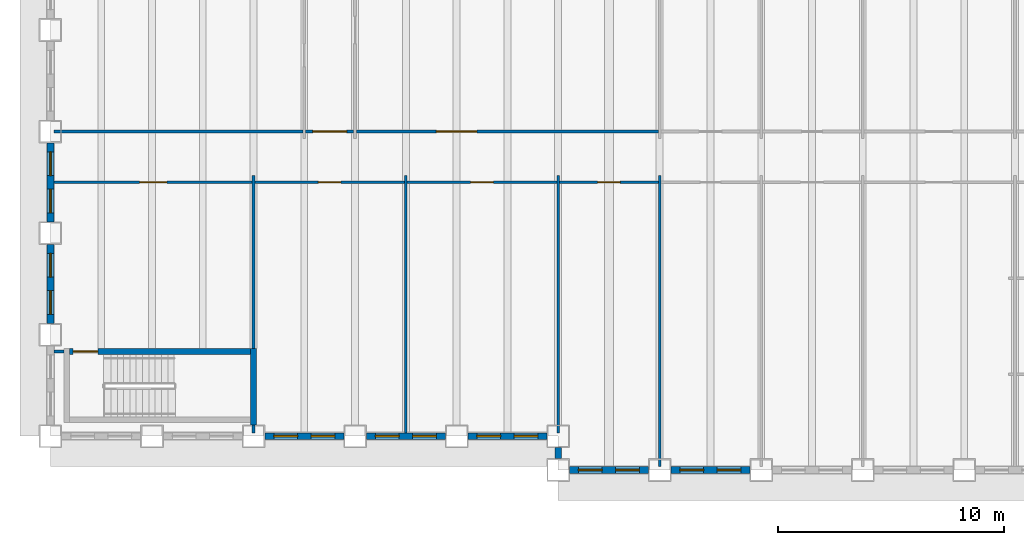
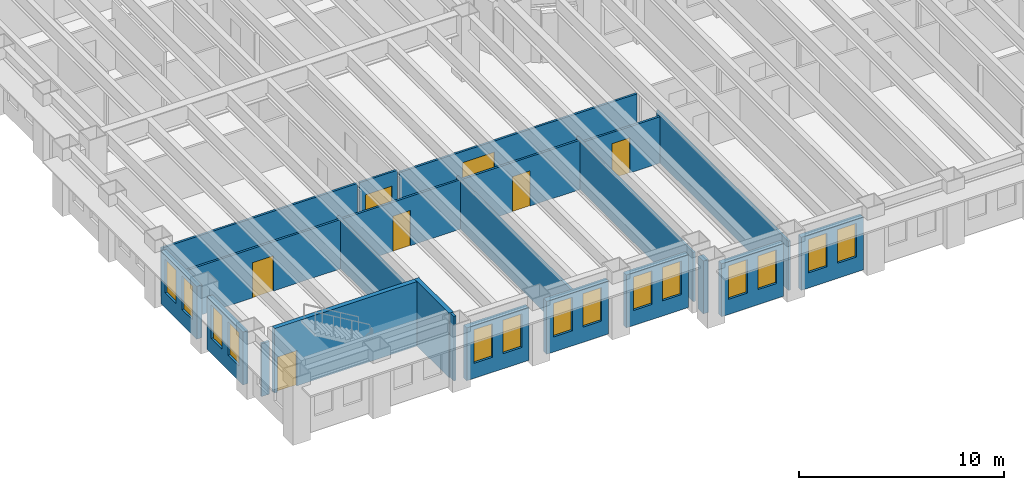
# One storey, part 3 of 16: 23 walls, 14 windows, 7 doors, 21 openings.
"""IFC4 building model written with IfcOpenShell, lengths in metres."""

from ifc_helpers import new_model, si_unit, direction, frame, frame_2d, origin, place, context, subcontext, project, spatial, rectangle, extrude, material, layer, layer_set, type_object, element, fill, save


model = new_model("IFC4")

# Units and contexts
model_context = context("Model", 3, precision=1e-05, world=origin(), true_north=direction((0.0, 1.0)))
body_context = subcontext(model_context, "Body", "Model", "MODEL_VIEW")
ifc_project = project(units=[si_unit("LENGTHUNIT", "METRE"), si_unit("AREAUNIT", "SQUARE_METRE"), si_unit("VOLUMEUNIT", "CUBIC_METRE"), si_unit("PLANEANGLEUNIT", "RADIAN"), si_unit("MASSUNIT", "GRAM", prefix="KILO")], contexts=[model_context])

# Site, building, storey
site_placement = place(None, origin())
site = spatial("IfcSite", under=ifc_project, at=site_placement, CompositionType="ELEMENT")
building_placement = place(site_placement, origin())
building = spatial("IfcBuilding", under=site, at=building_placement, Name="Sennacour Bend Tower", CompositionType="ELEMENT")
storey_placement = place(building_placement, frame((0.0, 0.0, 87.0)))
storey = spatial("IfcBuildingStorey", under=building, at=storey_placement, Name="L19", CompositionType="ELEMENT", Elevation=87.0)

# Walls
ifc_material_1 = material(Name="Plasterboard partition on steel studs", Category="steel")
ifc_layer_1 = layer(ifc_material_1, 0.1201171875, Name="Plasterboard partition on steel studs", Category="steel")
ifc_layer_set_1 = layer_set([ifc_layer_1], Name="Plasterboard partition on steel studs")
wall_type_1 = type_object("IfcWallType", Name="Partition 120", PredefinedType="PARTITIONING", material=ifc_layer_set_1)
wall_1_placement = place(storey_placement, frame((9.0, 0.14990234375, 0.0), z_axis=(0.0, 0.0, 1.0), x_axis=(0.0, 1.0, 0.0)))
element("IfcWall", 1, at=wall_1_placement, inside=storey, type_object=wall_type_1, Name="P-L19-W010a", PredefinedType="PARTITIONING", context=body_context, shape_type="SweptSolid", body=[
    extrude(rectangle(XDim=0.35009765625, YDim=0.1201171875, at=frame_2d((0.175048828125, 0.0))), origin(), (0.0, 0.0, 1.0), 3.85009765625),
])
wall_2_placement = place(storey_placement, frame((9.0, 3.875, 0.0), z_axis=(0.0, 0.0, 1.0), x_axis=(0.0, 1.0, 0.0)))
element("IfcWall", 2, at=wall_2_placement, inside=storey, type_object=wall_type_1, Name="P-L19-W012a", PredefinedType="PARTITIONING", context=body_context, shape_type="SweptSolid", body=[
    extrude(rectangle(XDim=7.675048828125, YDim=0.1201171875, at=frame_2d((3.83740234375, 0.0))), origin(), (0.0, 0.0, 1.0), 2.93798828125),
])
for number, where, z_axis, x_axis, name in (
    (3, (15.75, 0.14990234375, 0.0), (0.0, 0.0, 1.0), (0.0, 1.0, 0.0), "P-L19-W020a"),
    (4, (22.5, 0.14990234375, 0.0), (0.0, 0.0, 1.0), (0.0, 1.0, 0.0), "P-L19-W024a"),
):
    element("IfcWall", number, at=place(storey_placement, frame(where, z_axis=z_axis, x_axis=x_axis)), inside=storey, type_object=wall_type_1, Name=name, PredefinedType="PARTITIONING", context=body_context, shape_type="SweptSolid", body=[
        extrude(rectangle(XDim=11.400146484375, YDim=0.1201171875, at=frame_2d((5.7001953125, 0.0))), origin(), (0.0, 0.0, 1.0), 2.93798828125),
    ])
wall_3_placement = place(storey_placement, frame((27.0, -1.35009765625, 0.0), z_axis=(0.0, 0.0, 1.0), x_axis=(0.0, 1.0, 0.0)))
element("IfcWall", 5, at=wall_3_placement, inside=storey, type_object=wall_type_1, Name="P-L19-W026a", PredefinedType="PARTITIONING", context=body_context, shape_type="SweptSolid", body=[
    extrude(rectangle(XDim=12.900146484375, YDim=0.1201171875, at=frame_2d((6.4501953125, 0.0))), origin(), (0.0, 0.0, 1.0), 2.93798828125),
])
wall_4_placement = place(storey_placement, frame((0.14990234375, 3.75, 0.0), z_axis=(0.0, 0.0, 1.0), x_axis=(1.0, 0.0, 0.0)))
element("IfcWall", 6, at=wall_4_placement, inside=storey, type_object=wall_type_1, Name="P-L19-W050a", PredefinedType="PARTITIONING", context=body_context, shape_type="SweptSolid", body=[
    extrude(rectangle(XDim=0.4501953125, YDim=0.1201171875, at=frame_2d((0.22509765625, 0.0))), origin(), (0.0, 0.0, 1.0), 3.154052734375),
])

# Wall, opening, door
wall_5_placement = place(storey_placement, frame((9.06005859375, 11.25, 0.0), z_axis=(0.0, 0.0, 1.0), x_axis=(1.0, 0.0, 0.0)))
wall_5 = element("IfcWall", 7, at=wall_5_placement, inside=storey, type_object=wall_type_1, Name="P-L19-W058ab", PredefinedType="PARTITIONING", context=body_context, shape_type="SweptSolid", body=[
    extrude(rectangle(XDim=6.6298828125, YDim=0.1201171875, at=frame_2d((3.31494140625, 0.0))), origin(), (0.0, 0.0, 1.0), 2.93798828125),
])
opening_1_placement = place(wall_5_placement, frame((2.81494140625, 0.0, 0.0)))
opening_1 = element("IfcOpeningElement", 8, at=opening_1_placement, cuts=wall_5, Name="Opening OD2", PredefinedType="OPENING", context=body_context, shape_type="SweptSolid", body=[
    extrude(rectangle(XDim=1.0, YDim=2.10009765625, at=frame_2d((0.5, 1.050048828125))), frame((0.0, 0.070068359375, 0.0), z_axis=(0.0, -1.0, 0.0), x_axis=(1.0, 0.0, 0.0)), (0.0, 0.0, 1.0), 0.14013671875),
])
ifc_material_2 = material(Name="Timber", Category="wood")
door_type_1 = type_object("IfcDoorType", Name="DR-OFFICE-1000", OperationType="NOTDEFINED", PredefinedType="DOOR", material=ifc_material_2)
door_1_placement = place(opening_1_placement, origin())
door_1 = element("IfcDoor", 9, at=door_1_placement, inside=storey, type_object=door_type_1, Name="Door", OperationType="SINGLE_SWING_LEFT", OverallHeight=2.10009765625, OverallWidth=1.0, PredefinedType="DOOR", context=body_context, shape_type="SweptSolid", body=[
    extrude(rectangle(XDim=1.0, YDim=2.10009765625, at=frame_2d((0.5, 1.050048828125))), frame((0.0, 0.02490234375, 0.0), z_axis=(0.0, -1.0, 0.0), x_axis=(1.0, 0.0, 0.0)), (0.0, 0.0, 1.0), 0.050048828125),
])
fill(opening_1, door_1)

wall_6_placement = place(storey_placement, frame((15.81005859375, 11.25, 0.0), z_axis=(0.0, 0.0, 1.0), x_axis=(1.0, 0.0, 0.0)))
wall_6 = element("IfcWall", 10, at=wall_6_placement, inside=storey, type_object=wall_type_1, Name="P-L19-W058ac", PredefinedType="PARTITIONING", context=body_context, shape_type="SweptSolid", body=[
    extrude(rectangle(XDim=6.6298828125, YDim=0.1201171875, at=frame_2d((3.31494140625, 0.0))), origin(), (0.0, 0.0, 1.0), 2.93798828125),
])
opening_2_placement = place(wall_6_placement, frame((2.81494140625, 0.0, 0.0)))
opening_2 = element("IfcOpeningElement", 11, at=opening_2_placement, cuts=wall_6, Name="Opening OD2", PredefinedType="OPENING", context=body_context, shape_type="SweptSolid", body=[
    extrude(rectangle(XDim=1.0, YDim=2.10009765625, at=frame_2d((0.5, 1.050048828125))), frame((0.0, 0.070068359375, 0.0), z_axis=(0.0, -1.0, 0.0), x_axis=(1.0, 0.0, 0.0)), (0.0, 0.0, 1.0), 0.14013671875),
])
door_2_placement = place(opening_2_placement, origin())
door_2 = element("IfcDoor", 12, at=door_2_placement, inside=storey, type_object=door_type_1, Name="Door", OperationType="SINGLE_SWING_LEFT", OverallHeight=2.10009765625, OverallWidth=1.0, PredefinedType="DOOR", context=body_context, shape_type="SweptSolid", body=[
    extrude(rectangle(XDim=1.0, YDim=2.10009765625, at=frame_2d((0.5, 1.050048828125))), frame((0.0, 0.02490234375, 0.0), z_axis=(0.0, -1.0, 0.0), x_axis=(1.0, 0.0, 0.0)), (0.0, 0.0, 1.0), 0.050048828125),
])
fill(opening_2, door_2)

wall_7_placement = place(storey_placement, frame((22.56005859375, 11.25, 0.0), z_axis=(0.0, 0.0, 1.0), x_axis=(1.0, 0.0, 0.0)))
wall_7 = element("IfcWall", 13, at=wall_7_placement, inside=storey, type_object=wall_type_1, Name="P-L19-W058ad", PredefinedType="PARTITIONING", context=body_context, shape_type="SweptSolid", body=[
    extrude(rectangle(XDim=4.3798828125, YDim=0.1201171875, at=frame_2d((2.18994140625, 0.0))), origin(), (0.0, 0.0, 1.0), 2.760009765625),
])
opening_3_placement = place(wall_7_placement, frame((1.68994140625, 0.0, 0.0)))
opening_3 = element("IfcOpeningElement", 14, at=opening_3_placement, cuts=wall_7, Name="Opening OD2", PredefinedType="OPENING", context=body_context, shape_type="SweptSolid", body=[
    extrude(rectangle(XDim=1.0, YDim=2.10009765625, at=frame_2d((0.5, 1.050048828125))), frame((0.0, 0.070068359375, 0.0), z_axis=(0.0, -1.0, 0.0), x_axis=(1.0, 0.0, 0.0)), (0.0, 0.0, 1.0), 0.14013671875),
])
door_3_placement = place(opening_3_placement, origin())
door_3 = element("IfcDoor", 15, at=door_3_placement, inside=storey, type_object=door_type_1, Name="Door", OperationType="SINGLE_SWING_LEFT", OverallHeight=2.10009765625, OverallWidth=1.0, PredefinedType="DOOR", context=body_context, shape_type="SweptSolid", body=[
    extrude(rectangle(XDim=1.0, YDim=2.10009765625, at=frame_2d((0.5, 1.050048828125))), frame((0.0, 0.02490234375, 0.0), z_axis=(0.0, -1.0, 0.0), x_axis=(1.0, 0.0, 0.0)), (0.0, 0.0, 1.0), 0.050048828125),
])
fill(opening_3, door_3)

# Wall
wall_8_placement = place(storey_placement, frame((0.14990234375, 13.5, 0.0), z_axis=(0.0, 0.0, 1.0), x_axis=(1.0, 0.0, 0.0)))
element("IfcWall", 16, at=wall_8_placement, inside=storey, type_object=wall_type_1, Name="P-L19-W060aa", PredefinedType="PARTITIONING", context=body_context, shape_type="SweptSolid", body=[
    extrude(rectangle(XDim=11.0400390625, YDim=0.1201171875, at=frame_2d((5.52001953125, 0.0))), origin(), (0.0, 0.0, 1.0), 2.93798828125),
])

# Wall, opening, door
wall_9_placement = place(storey_placement, frame((13.56005859375, 13.5, 0.0), z_axis=(0.0, 0.0, 1.0), x_axis=(1.0, 0.0, 0.0)))
wall_9 = element("IfcWall", 17, at=wall_9_placement, inside=storey, type_object=wall_type_1, Name="P-L19-W060ac", PredefinedType="PARTITIONING", context=body_context, shape_type="SweptSolid", body=[
    extrude(rectangle(XDim=13.3798828125, YDim=0.1201171875, at=frame_2d((6.68994140625, 0.0))), origin(), (0.0, 0.0, 1.0), 2.760009765625),
])
opening_4_placement = place(wall_9_placement, frame((3.539794921875, 0.0, 0.0)))
opening_4 = element("IfcOpeningElement", 18, at=opening_4_placement, cuts=wall_9, Name="Opening OD3", PredefinedType="OPENING", context=body_context, shape_type="SweptSolid", body=[
    extrude(rectangle(XDim=1.800048828125, YDim=2.10009765625, at=frame_2d((0.89990234375, 1.050048828125))), frame((0.0, 0.070068359375, 0.0), z_axis=(0.0, -1.0, 0.0), x_axis=(1.0, 0.0, 0.0)), (0.0, 0.0, 1.0), 0.14013671875),
])
door_type_2 = type_object("IfcDoorType", Name="DR-OFFICE-1800", OperationType="NOTDEFINED", PredefinedType="DOOR", material=ifc_material_2)
door_4_placement = place(opening_4_placement, origin())
door_4 = element("IfcDoor", 19, at=door_4_placement, inside=storey, type_object=door_type_2, Name="Door", OperationType="DOUBLE_DOOR_SINGLE_SWING", OverallHeight=2.10009765625, OverallWidth=1.800048828125, PredefinedType="DOOR", context=body_context, shape_type="SweptSolid", body=[
    extrude(rectangle(XDim=1.800048828125, YDim=2.10009765625, at=frame_2d((0.89990234375, 1.050048828125))), frame((0.0, 0.02490234375, 0.0), z_axis=(0.0, -1.0, 0.0), x_axis=(1.0, 0.0, 0.0)), (0.0, 0.0, 1.0), 0.050048828125),
])
fill(opening_4, door_4)

ifc_layer_2 = layer(ifc_material_1, 0.1201171875, Name="Plasterboard partition on steel studs", Category="steel")
ifc_layer_set_2 = layer_set([ifc_layer_2], Name="Plasterboard partition on steel studs")
wall_type_2 = type_object("IfcWallType", Name="Partition 120 EI 30", PredefinedType="PARTITIONING", material=ifc_layer_set_2)
wall_10_placement = place(storey_placement, frame((0.14990234375, 11.25, 0.0), z_axis=(0.0, 0.0, 1.0), x_axis=(1.0, 0.0, 0.0)))
wall_10 = element("IfcWall", 20, at=wall_10_placement, inside=storey, type_object=wall_type_2, Name="P-L19-W058aa", PredefinedType="PARTITIONING", context=body_context, shape_type="SweptSolid", body=[
    extrude(rectangle(XDim=8.7900390625, YDim=0.1201171875, at=frame_2d((4.39501953125, 0.0))), origin(), (0.0, 0.0, 1.0), 2.93798828125),
])
opening_5_placement = place(wall_10_placement, frame((3.80517578125, 0.0, 0.0)))
opening_5 = element("IfcOpeningElement", 21, at=opening_5_placement, cuts=wall_10, Name="Opening KD2", PredefinedType="OPENING", context=body_context, shape_type="SweptSolid", body=[
    extrude(rectangle(XDim=1.199951171875, YDim=2.10009765625, at=frame_2d((0.60009765625, 1.050048828125))), frame((0.0, 0.070068359375, 0.0), z_axis=(0.0, -1.0, 0.0), x_axis=(1.0, 0.0, 0.0)), (0.0, 0.0, 1.0), 0.14013671875),
])
ifc_material_3 = material(Name="Painted steel", Category="steel")
door_type_3 = type_object("IfcDoorType", Name="DR-CORRIDOR-1200", OperationType="NOTDEFINED", PredefinedType="DOOR", material=ifc_material_3)
door_5_placement = place(opening_5_placement, origin())
door_5 = element("IfcDoor", 22, at=door_5_placement, inside=storey, type_object=door_type_3, Name="Door", OperationType="SINGLE_SWING_LEFT", OverallHeight=2.10009765625, OverallWidth=1.199951171875, PredefinedType="DOOR", context=body_context, shape_type="SweptSolid", body=[
    extrude(rectangle(XDim=1.199951171875, YDim=2.10009765625, at=frame_2d((0.60009765625, 1.050048828125))), frame((0.0, 0.02490234375, 0.0), z_axis=(0.0, -1.0, 0.0), x_axis=(1.0, 0.0, 0.0)), (0.0, 0.0, 1.0), 0.050048828125),
])
fill(opening_5, door_5)

wall_11_placement = place(storey_placement, frame((11.31005859375, 13.5, 0.0), z_axis=(0.0, 0.0, 1.0), x_axis=(1.0, 0.0, 0.0)))
wall_11 = element("IfcWall", 23, at=wall_11_placement, inside=storey, type_object=wall_type_2, Name="P-L19-W060ab", PredefinedType="PARTITIONING", context=body_context, shape_type="SweptSolid", body=[
    extrude(rectangle(XDim=2.1298828125, YDim=0.1201171875, at=frame_2d((1.06494140625, 0.0))), origin(), (0.0, 0.0, 1.0), 2.93798828125),
])
opening_6_placement = place(wall_11_placement, frame((0.31494140625, 0.0, 0.0)))
opening_6 = element("IfcOpeningElement", 24, at=opening_6_placement, cuts=wall_11, Name="Opening KD", PredefinedType="OPENING", context=body_context, shape_type="SweptSolid", body=[
    extrude(rectangle(XDim=1.5, YDim=2.10009765625, at=frame_2d((0.75, 1.050048828125))), frame((0.0, 0.070068359375, 0.0), z_axis=(0.0, -1.0, 0.0), x_axis=(1.0, 0.0, 0.0)), (0.0, 0.0, 1.0), 0.14013671875),
])
door_type_4 = type_object("IfcDoorType", Name="DR-CORRIDOR-1500", OperationType="NOTDEFINED", PredefinedType="DOOR", material=ifc_material_3)
door_6_placement = place(opening_6_placement, origin())
door_6 = element("IfcDoor", 25, at=door_6_placement, inside=storey, type_object=door_type_4, Name="Door", OperationType="SINGLE_SWING_LEFT", OverallHeight=2.10009765625, OverallWidth=1.5, PredefinedType="DOOR", context=body_context, shape_type="SweptSolid", body=[
    extrude(rectangle(XDim=1.5, YDim=2.10009765625, at=frame_2d((0.75, 1.050048828125))), frame((0.0, 0.02490234375, 0.0), z_axis=(0.0, -1.0, 0.0), x_axis=(1.0, 0.0, 0.0)), (0.0, 0.0, 1.0), 0.050048828125),
])
fill(opening_6, door_6)

# Wall, openings, windows
ifc_material_4 = material(Name="Warm limestone cladding", Category="masonry")
ifc_layer_3 = layer(ifc_material_4, 0.050048828125, Name="Warm limestone cladding", Category="masonry")
ifc_material_5 = material(Name="Precast concrete C40/50", Category="concrete")
ifc_layer_4 = layer(ifc_material_5, 0.25, Name="Precast concrete C40/50", Category="concrete")
ifc_layer_set_3 = layer_set([ifc_layer_3, ifc_layer_4], Name="Precast concrete C40/50 with limestone cladding")
wall_type_3 = type_object("IfcWallType", Name="STONE-CLAD PRECAST SPANDREL 300", PredefinedType="STANDARD", material=ifc_layer_set_3)
wall_12_placement = place(storey_placement, frame((23.0, -1.5, 0.0), z_axis=(0.0, 0.0, 1.0), x_axis=(1.0, 0.0, 0.0)))
wall_12 = element("IfcWall", 26, at=wall_12_placement, inside=storey, type_object=wall_type_3, Name="Stone spandrel and pier wall L19 00.00", PredefinedType="STANDARD", context=body_context, shape_type="SweptSolid", body=[
    extrude(rectangle(XDim=3.5, YDim=0.300048828125, at=frame_2d((1.75, 0.0))), origin(), (0.0, 0.0, 1.0), 3.154052734375),
])
opening_7_placement = place(wall_12_placement, frame((0.39990234375, 0.0, 0.89990234375)))
opening_7 = element("IfcOpeningElement", 27, at=opening_7_placement, cuts=wall_12, Name="Opening W13", PredefinedType="OPENING", context=body_context, shape_type="SweptSolid", body=[
    extrude(rectangle(XDim=1.050048828125, YDim=2.0, at=frame_2d((0.52490234375, 1.0))), frame((0.0, 0.16015625, 0.0), z_axis=(0.0, -1.0, 0.0), x_axis=(1.0, 0.0, 0.0)), (0.0, 0.0, 1.0), 0.320068359375),
])
opening_8_placement = place(wall_12_placement, frame((2.050048828125, 0.0, 0.89990234375)))
opening_8 = element("IfcOpeningElement", 28, at=opening_8_placement, cuts=wall_12, Name="Opening W13", PredefinedType="OPENING", context=body_context, shape_type="SweptSolid", body=[
    extrude(rectangle(XDim=1.050048828125, YDim=2.0, at=frame_2d((0.52490234375, 1.0))), frame((0.0, 0.16015625, 0.0), z_axis=(0.0, -1.0, 0.0), x_axis=(1.0, 0.0, 0.0)), (0.0, 0.0, 1.0), 0.320068359375),
])
ifc_material_6 = material(Name="Clear low-emissivity glass", Category="glass")
window_type = type_object("IfcWindowType", Name="WIN-RIBBON-1050x2000", PartitioningType="SINGLE_PANEL", PredefinedType="WINDOW", material=ifc_material_6)
window_1_placement = place(opening_7_placement, origin())
window_1 = element("IfcWindow", 29, at=window_1_placement, inside=storey, type_object=window_type, Name="Ribbon window L19 00.00.0", OverallHeight=2.0, OverallWidth=1.050048828125, PartitioningType="SINGLE_PANEL", PredefinedType="WINDOW", context=body_context, shape_type="SweptSolid", body=[
    extrude(rectangle(XDim=1.050048828125, YDim=2.0, at=frame_2d((0.52490234375, 1.0))), frame((0.0, 0.030029296875, 0.0), z_axis=(0.0, -1.0, 0.0), x_axis=(1.0, 0.0, 0.0)), (0.0, 0.0, 1.0), 0.06005859375),
])
fill(opening_7, window_1)
window_2_placement = place(opening_8_placement, origin())
window_2 = element("IfcWindow", 30, at=window_2_placement, inside=storey, type_object=window_type, Name="Ribbon window L19 00.00.1", OverallHeight=2.0, OverallWidth=1.050048828125, PartitioningType="SINGLE_PANEL", PredefinedType="WINDOW", context=body_context, shape_type="SweptSolid", body=[
    extrude(rectangle(XDim=1.050048828125, YDim=2.0, at=frame_2d((0.52490234375, 1.0))), frame((0.0, 0.030029296875, 0.0), z_axis=(0.0, -1.0, 0.0), x_axis=(1.0, 0.0, 0.0)), (0.0, 0.0, 1.0), 0.06005859375),
])
fill(opening_8, window_2)

wall_13_placement = place(storey_placement, frame((27.5, -1.5, 0.0), z_axis=(0.0, 0.0, 1.0), x_axis=(1.0, 0.0, 0.0)))
wall_13 = element("IfcWall", 31, at=wall_13_placement, inside=storey, type_object=wall_type_3, Name="Stone spandrel and pier wall L19 00.01", PredefinedType="STANDARD", context=body_context, shape_type="SweptSolid", body=[
    extrude(rectangle(XDim=3.5, YDim=0.300048828125, at=frame_2d((1.75, 0.0))), origin(), (0.0, 0.0, 1.0), 3.154052734375),
])
opening_9_placement = place(wall_13_placement, frame((0.39990234375, 0.0, 0.89990234375)))
opening_9 = element("IfcOpeningElement", 32, at=opening_9_placement, cuts=wall_13, Name="Opening W13", PredefinedType="OPENING", context=body_context, shape_type="SweptSolid", body=[
    extrude(rectangle(XDim=1.050048828125, YDim=2.0, at=frame_2d((0.52490234375, 1.0))), frame((0.0, 0.16015625, 0.0), z_axis=(0.0, -1.0, 0.0), x_axis=(1.0, 0.0, 0.0)), (0.0, 0.0, 1.0), 0.320068359375),
])
opening_10_placement = place(wall_13_placement, frame((2.050048828125, 0.0, 0.89990234375)))
opening_10 = element("IfcOpeningElement", 33, at=opening_10_placement, cuts=wall_13, Name="Opening W13", PredefinedType="OPENING", context=body_context, shape_type="SweptSolid", body=[
    extrude(rectangle(XDim=1.050048828125, YDim=2.0, at=frame_2d((0.52490234375, 1.0))), frame((0.0, 0.16015625, 0.0), z_axis=(0.0, -1.0, 0.0), x_axis=(1.0, 0.0, 0.0)), (0.0, 0.0, 1.0), 0.320068359375),
])
window_3_placement = place(opening_9_placement, origin())
window_3 = element("IfcWindow", 34, at=window_3_placement, inside=storey, type_object=window_type, Name="Ribbon window L19 00.01.0", OverallHeight=2.0, OverallWidth=1.050048828125, PartitioningType="SINGLE_PANEL", PredefinedType="WINDOW", context=body_context, shape_type="SweptSolid", body=[
    extrude(rectangle(XDim=1.050048828125, YDim=2.0, at=frame_2d((0.52490234375, 1.0))), frame((0.0, 0.030029296875, 0.0), z_axis=(0.0, -1.0, 0.0), x_axis=(1.0, 0.0, 0.0)), (0.0, 0.0, 1.0), 0.06005859375),
])
fill(opening_9, window_3)
window_4_placement = place(opening_10_placement, origin())
window_4 = element("IfcWindow", 35, at=window_4_placement, inside=storey, type_object=window_type, Name="Ribbon window L19 00.01.1", OverallHeight=2.0, OverallWidth=1.050048828125, PartitioningType="SINGLE_PANEL", PredefinedType="WINDOW", context=body_context, shape_type="SweptSolid", body=[
    extrude(rectangle(XDim=1.050048828125, YDim=2.0, at=frame_2d((0.52490234375, 1.0))), frame((0.0, 0.030029296875, 0.0), z_axis=(0.0, -1.0, 0.0), x_axis=(1.0, 0.0, 0.0)), (0.0, 0.0, 1.0), 0.06005859375),
])
fill(opening_10, window_4)

wall_14_placement = place(storey_placement, frame((0.0, 13.0, 0.0), z_axis=(0.0, 0.0, 1.0), x_axis=(0.0, -1.0, 0.0)))
wall_14 = element("IfcWall", 36, at=wall_14_placement, inside=storey, type_object=wall_type_3, Name="Stone spandrel and pier wall L19 21.02", PredefinedType="STANDARD", context=body_context, shape_type="SweptSolid", body=[
    extrude(rectangle(XDim=3.5, YDim=0.300048828125, at=frame_2d((1.75, 0.0))), origin(), (0.0, 0.0, 1.0), 3.154052734375),
])
opening_11_placement = place(wall_14_placement, frame((0.39990234375, 0.0, 0.89990234375)))
opening_11 = element("IfcOpeningElement", 37, at=opening_11_placement, cuts=wall_14, Name="Opening W13", PredefinedType="OPENING", context=body_context, shape_type="SweptSolid", body=[
    extrude(rectangle(XDim=1.050048828125, YDim=2.0, at=frame_2d((0.52490234375, 1.0))), frame((0.0, 0.16015625, 0.0), z_axis=(0.0, -1.0, 0.0), x_axis=(1.0, 0.0, 0.0)), (0.0, 0.0, 1.0), 0.320068359375),
])
opening_12_placement = place(wall_14_placement, frame((2.050048828125, 0.0, 0.89990234375)))
opening_12 = element("IfcOpeningElement", 38, at=opening_12_placement, cuts=wall_14, Name="Opening W13", PredefinedType="OPENING", context=body_context, shape_type="SweptSolid", body=[
    extrude(rectangle(XDim=1.050048828125, YDim=2.0, at=frame_2d((0.52490234375, 1.0))), frame((0.0, 0.16015625, 0.0), z_axis=(0.0, -1.0, 0.0), x_axis=(1.0, 0.0, 0.0)), (0.0, 0.0, 1.0), 0.320068359375),
])
window_5_placement = place(opening_11_placement, origin())
window_5 = element("IfcWindow", 39, at=window_5_placement, inside=storey, type_object=window_type, Name="Ribbon window L19 21.02.0", OverallHeight=2.0, OverallWidth=1.050048828125, PartitioningType="SINGLE_PANEL", PredefinedType="WINDOW", context=body_context, shape_type="SweptSolid", body=[
    extrude(rectangle(XDim=1.050048828125, YDim=2.0, at=frame_2d((0.52490234375, 1.0))), frame((0.0, 0.030029296875, 0.0), z_axis=(0.0, -1.0, 0.0), x_axis=(1.0, 0.0, 0.0)), (0.0, 0.0, 1.0), 0.06005859375),
])
fill(opening_11, window_5)
window_6_placement = place(opening_12_placement, origin())
window_6 = element("IfcWindow", 40, at=window_6_placement, inside=storey, type_object=window_type, Name="Ribbon window L19 21.02.1", OverallHeight=2.0, OverallWidth=1.050048828125, PartitioningType="SINGLE_PANEL", PredefinedType="WINDOW", context=body_context, shape_type="SweptSolid", body=[
    extrude(rectangle(XDim=1.050048828125, YDim=2.0, at=frame_2d((0.52490234375, 1.0))), frame((0.0, 0.030029296875, 0.0), z_axis=(0.0, -1.0, 0.0), x_axis=(1.0, 0.0, 0.0)), (0.0, 0.0, 1.0), 0.06005859375),
])
fill(opening_12, window_6)

wall_15_placement = place(storey_placement, frame((0.0, 8.5, 0.0), z_axis=(0.0, 0.0, 1.0), x_axis=(0.0, -1.0, 0.0)))
wall_15 = element("IfcWall", 41, at=wall_15_placement, inside=storey, type_object=wall_type_3, Name="Stone spandrel and pier wall L19 21.03", PredefinedType="STANDARD", context=body_context, shape_type="SweptSolid", body=[
    extrude(rectangle(XDim=3.5, YDim=0.300048828125, at=frame_2d((1.75, 0.0))), origin(), (0.0, 0.0, 1.0), 3.154052734375),
])
opening_13_placement = place(wall_15_placement, frame((0.39990234375, 0.0, 0.89990234375)))
opening_13 = element("IfcOpeningElement", 42, at=opening_13_placement, cuts=wall_15, Name="Opening W13", PredefinedType="OPENING", context=body_context, shape_type="SweptSolid", body=[
    extrude(rectangle(XDim=1.050048828125, YDim=2.0, at=frame_2d((0.52490234375, 1.0))), frame((0.0, 0.16015625, 0.0), z_axis=(0.0, -1.0, 0.0), x_axis=(1.0, 0.0, 0.0)), (0.0, 0.0, 1.0), 0.320068359375),
])
opening_14_placement = place(wall_15_placement, frame((2.050048828125, 0.0, 0.89990234375)))
opening_14 = element("IfcOpeningElement", 43, at=opening_14_placement, cuts=wall_15, Name="Opening W13", PredefinedType="OPENING", context=body_context, shape_type="SweptSolid", body=[
    extrude(rectangle(XDim=1.050048828125, YDim=2.0, at=frame_2d((0.52490234375, 1.0))), frame((0.0, 0.16015625, 0.0), z_axis=(0.0, -1.0, 0.0), x_axis=(1.0, 0.0, 0.0)), (0.0, 0.0, 1.0), 0.320068359375),
])
window_7_placement = place(opening_13_placement, origin())
window_7 = element("IfcWindow", 44, at=window_7_placement, inside=storey, type_object=window_type, Name="Ribbon window L19 21.03.0", OverallHeight=2.0, OverallWidth=1.050048828125, PartitioningType="SINGLE_PANEL", PredefinedType="WINDOW", context=body_context, shape_type="SweptSolid", body=[
    extrude(rectangle(XDim=1.050048828125, YDim=2.0, at=frame_2d((0.52490234375, 1.0))), frame((0.0, 0.030029296875, 0.0), z_axis=(0.0, -1.0, 0.0), x_axis=(1.0, 0.0, 0.0)), (0.0, 0.0, 1.0), 0.06005859375),
])
fill(opening_13, window_7)
window_8_placement = place(opening_14_placement, origin())
window_8 = element("IfcWindow", 45, at=window_8_placement, inside=storey, type_object=window_type, Name="Ribbon window L19 21.03.1", OverallHeight=2.0, OverallWidth=1.050048828125, PartitioningType="SINGLE_PANEL", PredefinedType="WINDOW", context=body_context, shape_type="SweptSolid", body=[
    extrude(rectangle(XDim=1.050048828125, YDim=2.0, at=frame_2d((0.52490234375, 1.0))), frame((0.0, 0.030029296875, 0.0), z_axis=(0.0, -1.0, 0.0), x_axis=(1.0, 0.0, 0.0)), (0.0, 0.0, 1.0), 0.06005859375),
])
fill(opening_14, window_8)

wall_16_placement = place(storey_placement, frame((9.5, 0.0, 0.0), z_axis=(0.0, 0.0, 1.0), x_axis=(1.0, 0.0, 0.0)))
wall_16 = element("IfcWall", 46, at=wall_16_placement, inside=storey, type_object=wall_type_3, Name="Stone spandrel and pier wall L19 22.02", PredefinedType="STANDARD", context=body_context, shape_type="SweptSolid", body=[
    extrude(rectangle(XDim=3.5, YDim=0.300048828125, at=frame_2d((1.75, 0.0))), origin(), (0.0, 0.0, 1.0), 3.154052734375),
])
opening_15_placement = place(wall_16_placement, frame((0.39990234375, 0.0, 0.89990234375)))
opening_15 = element("IfcOpeningElement", 47, at=opening_15_placement, cuts=wall_16, Name="Opening W13", PredefinedType="OPENING", context=body_context, shape_type="SweptSolid", body=[
    extrude(rectangle(XDim=1.050048828125, YDim=2.0, at=frame_2d((0.52490234375, 1.0))), frame((0.0, 0.16015625, 0.0), z_axis=(0.0, -1.0, 0.0), x_axis=(1.0, 0.0, 0.0)), (0.0, 0.0, 1.0), 0.320068359375),
])
opening_16_placement = place(wall_16_placement, frame((2.050048828125, 0.0, 0.89990234375)))
opening_16 = element("IfcOpeningElement", 48, at=opening_16_placement, cuts=wall_16, Name="Opening W13", PredefinedType="OPENING", context=body_context, shape_type="SweptSolid", body=[
    extrude(rectangle(XDim=1.050048828125, YDim=2.0, at=frame_2d((0.52490234375, 1.0))), frame((0.0, 0.16015625, 0.0), z_axis=(0.0, -1.0, 0.0), x_axis=(1.0, 0.0, 0.0)), (0.0, 0.0, 1.0), 0.320068359375),
])
window_9_placement = place(opening_15_placement, origin())
window_9 = element("IfcWindow", 49, at=window_9_placement, inside=storey, type_object=window_type, Name="Ribbon window L19 22.02.0", OverallHeight=2.0, OverallWidth=1.050048828125, PartitioningType="SINGLE_PANEL", PredefinedType="WINDOW", context=body_context, shape_type="SweptSolid", body=[
    extrude(rectangle(XDim=1.050048828125, YDim=2.0, at=frame_2d((0.52490234375, 1.0))), frame((0.0, 0.030029296875, 0.0), z_axis=(0.0, -1.0, 0.0), x_axis=(1.0, 0.0, 0.0)), (0.0, 0.0, 1.0), 0.06005859375),
])
fill(opening_15, window_9)
window_10_placement = place(opening_16_placement, origin())
window_10 = element("IfcWindow", 50, at=window_10_placement, inside=storey, type_object=window_type, Name="Ribbon window L19 22.02.1", OverallHeight=2.0, OverallWidth=1.050048828125, PartitioningType="SINGLE_PANEL", PredefinedType="WINDOW", context=body_context, shape_type="SweptSolid", body=[
    extrude(rectangle(XDim=1.050048828125, YDim=2.0, at=frame_2d((0.52490234375, 1.0))), frame((0.0, 0.030029296875, 0.0), z_axis=(0.0, -1.0, 0.0), x_axis=(1.0, 0.0, 0.0)), (0.0, 0.0, 1.0), 0.06005859375),
])
fill(opening_16, window_10)

wall_17_placement = place(storey_placement, frame((14.0, 0.0, 0.0), z_axis=(0.0, 0.0, 1.0), x_axis=(1.0, 0.0, 0.0)))
wall_17 = element("IfcWall", 51, at=wall_17_placement, inside=storey, type_object=wall_type_3, Name="Stone spandrel and pier wall L19 22.03", PredefinedType="STANDARD", context=body_context, shape_type="SweptSolid", body=[
    extrude(rectangle(XDim=3.5, YDim=0.300048828125, at=frame_2d((1.75, 0.0))), origin(), (0.0, 0.0, 1.0), 3.154052734375),
])
opening_17_placement = place(wall_17_placement, frame((0.39990234375, 0.0, 0.89990234375)))
opening_17 = element("IfcOpeningElement", 52, at=opening_17_placement, cuts=wall_17, Name="Opening W13", PredefinedType="OPENING", context=body_context, shape_type="SweptSolid", body=[
    extrude(rectangle(XDim=1.050048828125, YDim=2.0, at=frame_2d((0.52490234375, 1.0))), frame((0.0, 0.16015625, 0.0), z_axis=(0.0, -1.0, 0.0), x_axis=(1.0, 0.0, 0.0)), (0.0, 0.0, 1.0), 0.320068359375),
])
opening_18_placement = place(wall_17_placement, frame((2.050048828125, 0.0, 0.89990234375)))
opening_18 = element("IfcOpeningElement", 53, at=opening_18_placement, cuts=wall_17, Name="Opening W13", PredefinedType="OPENING", context=body_context, shape_type="SweptSolid", body=[
    extrude(rectangle(XDim=1.050048828125, YDim=2.0, at=frame_2d((0.52490234375, 1.0))), frame((0.0, 0.16015625, 0.0), z_axis=(0.0, -1.0, 0.0), x_axis=(1.0, 0.0, 0.0)), (0.0, 0.0, 1.0), 0.320068359375),
])
window_11_placement = place(opening_17_placement, origin())
window_11 = element("IfcWindow", 54, at=window_11_placement, inside=storey, type_object=window_type, Name="Ribbon window L19 22.03.0", OverallHeight=2.0, OverallWidth=1.050048828125, PartitioningType="SINGLE_PANEL", PredefinedType="WINDOW", context=body_context, shape_type="SweptSolid", body=[
    extrude(rectangle(XDim=1.050048828125, YDim=2.0, at=frame_2d((0.52490234375, 1.0))), frame((0.0, 0.030029296875, 0.0), z_axis=(0.0, -1.0, 0.0), x_axis=(1.0, 0.0, 0.0)), (0.0, 0.0, 1.0), 0.06005859375),
])
fill(opening_17, window_11)
window_12_placement = place(opening_18_placement, origin())
window_12 = element("IfcWindow", 55, at=window_12_placement, inside=storey, type_object=window_type, Name="Ribbon window L19 22.03.1", OverallHeight=2.0, OverallWidth=1.050048828125, PartitioningType="SINGLE_PANEL", PredefinedType="WINDOW", context=body_context, shape_type="SweptSolid", body=[
    extrude(rectangle(XDim=1.050048828125, YDim=2.0, at=frame_2d((0.52490234375, 1.0))), frame((0.0, 0.030029296875, 0.0), z_axis=(0.0, -1.0, 0.0), x_axis=(1.0, 0.0, 0.0)), (0.0, 0.0, 1.0), 0.06005859375),
])
fill(opening_18, window_12)

wall_18_placement = place(storey_placement, frame((18.5, 0.0, 0.0), z_axis=(0.0, 0.0, 1.0), x_axis=(1.0, 0.0, 0.0)))
wall_18 = element("IfcWall", 56, at=wall_18_placement, inside=storey, type_object=wall_type_3, Name="Stone spandrel and pier wall L19 22.04", PredefinedType="STANDARD", context=body_context, shape_type="SweptSolid", body=[
    extrude(rectangle(XDim=3.5, YDim=0.300048828125, at=frame_2d((1.75, 0.0))), origin(), (0.0, 0.0, 1.0), 3.154052734375),
])
opening_19_placement = place(wall_18_placement, frame((0.39990234375, 0.0, 0.89990234375)))
opening_19 = element("IfcOpeningElement", 57, at=opening_19_placement, cuts=wall_18, Name="Opening W13", PredefinedType="OPENING", context=body_context, shape_type="SweptSolid", body=[
    extrude(rectangle(XDim=1.050048828125, YDim=2.0, at=frame_2d((0.52490234375, 1.0))), frame((0.0, 0.16015625, 0.0), z_axis=(0.0, -1.0, 0.0), x_axis=(1.0, 0.0, 0.0)), (0.0, 0.0, 1.0), 0.320068359375),
])
opening_20_placement = place(wall_18_placement, frame((2.050048828125, 0.0, 0.89990234375)))
opening_20 = element("IfcOpeningElement", 58, at=opening_20_placement, cuts=wall_18, Name="Opening W13", PredefinedType="OPENING", context=body_context, shape_type="SweptSolid", body=[
    extrude(rectangle(XDim=1.050048828125, YDim=2.0, at=frame_2d((0.52490234375, 1.0))), frame((0.0, 0.16015625, 0.0), z_axis=(0.0, -1.0, 0.0), x_axis=(1.0, 0.0, 0.0)), (0.0, 0.0, 1.0), 0.320068359375),
])
window_13_placement = place(opening_19_placement, origin())
window_13 = element("IfcWindow", 59, at=window_13_placement, inside=storey, type_object=window_type, Name="Ribbon window L19 22.04.0", OverallHeight=2.0, OverallWidth=1.050048828125, PartitioningType="SINGLE_PANEL", PredefinedType="WINDOW", context=body_context, shape_type="SweptSolid", body=[
    extrude(rectangle(XDim=1.050048828125, YDim=2.0, at=frame_2d((0.52490234375, 1.0))), frame((0.0, 0.030029296875, 0.0), z_axis=(0.0, -1.0, 0.0), x_axis=(1.0, 0.0, 0.0)), (0.0, 0.0, 1.0), 0.06005859375),
])
fill(opening_19, window_13)
window_14_placement = place(opening_20_placement, origin())
window_14 = element("IfcWindow", 60, at=window_14_placement, inside=storey, type_object=window_type, Name="Ribbon window L19 22.04.1", OverallHeight=2.0, OverallWidth=1.050048828125, PartitioningType="SINGLE_PANEL", PredefinedType="WINDOW", context=body_context, shape_type="SweptSolid", body=[
    extrude(rectangle(XDim=1.050048828125, YDim=2.0, at=frame_2d((0.52490234375, 1.0))), frame((0.0, 0.030029296875, 0.0), z_axis=(0.0, -1.0, 0.0), x_axis=(1.0, 0.0, 0.0)), (0.0, 0.0, 1.0), 0.06005859375),
])
fill(opening_20, window_14)

# Walls
wall_19_placement = place(storey_placement, frame((22.5, -0.5, 0.0), z_axis=(0.0, 0.0, 1.0), x_axis=(0.0, -1.0, 0.0)))
element("IfcWall", 61, at=wall_19_placement, inside=storey, type_object=wall_type_3, Name="Stone spandrel and pier wall L19 23.00", PredefinedType="STANDARD", context=body_context, shape_type="SweptSolid", body=[
    extrude(rectangle(XDim=0.5, YDim=0.300048828125, at=frame_2d((0.25, 0.0))), origin(), (0.0, 0.0, 1.0), 3.154052734375),
])
ifc_material_7 = material(Name="Concrete C60/75", Category="concrete")
ifc_layer_5 = layer(ifc_material_7, 0.25, Name="Concrete C60/75", Category="concrete")
ifc_layer_set_4 = layer_set([ifc_layer_5], Name="Concrete C60/75")
wall_type_4 = type_object("IfcWallType", Name="Stair wall 250", PredefinedType="SHEAR", material=ifc_layer_set_4)
wall_20_placement = place(storey_placement, frame((9.0, 0.5, 0.0), z_axis=(0.0, 0.0, 1.0), x_axis=(0.0, 1.0, 0.0)))
element("IfcWall", 62, at=wall_20_placement, inside=storey, type_object=wall_type_4, Name="P-L19-W011", PredefinedType="SHEAR", context=body_context, shape_type="SweptSolid", body=[
    extrude(rectangle(XDim=3.375, YDim=0.25, at=frame_2d((1.6875, 0.0))), origin(), (0.0, 0.0, 1.0), 3.85009765625),
])

# Wall, opening, door
wall_21_placement = place(storey_placement, frame((0.85009765625, 3.75, 0.0), z_axis=(0.0, 0.0, 1.0), x_axis=(1.0, 0.0, 0.0)))
wall_21 = element("IfcWall", 63, at=wall_21_placement, inside=storey, type_object=wall_type_4, Name="P-L19-W051", PredefinedType="SHEAR", context=body_context, shape_type="SweptSolid", body=[
    extrude(rectangle(XDim=8.02490234375, YDim=0.25, at=frame_2d((4.012451171875, 0.0))), origin(), (0.0, 0.0, 1.0), 3.85009765625),
])
opening_21_placement = place(wall_21_placement, frame((0.14990234375, 0.0, 0.0)))
opening_21 = element("IfcOpeningElement", 64, at=opening_21_placement, cuts=wall_21, Name="Opening SD", PredefinedType="OPENING", context=body_context, shape_type="SweptSolid", body=[
    extrude(rectangle(XDim=1.10009765625, YDim=2.10009765625, at=frame_2d((0.550048828125, 1.050048828125))), frame((0.0, 0.135009765625, 0.0), z_axis=(0.0, -1.0, 0.0), x_axis=(1.0, 0.0, 0.0)), (0.0, 0.0, 1.0), 0.27001953125),
])
door_type_5 = type_object("IfcDoorType", Name="DR-STAIR-1100", OperationType="NOTDEFINED", PredefinedType="DOOR", material=ifc_material_3)
door_7_placement = place(opening_21_placement, origin())
door_7 = element("IfcDoor", 65, at=door_7_placement, inside=storey, type_object=door_type_5, Name="Door", OperationType="SINGLE_SWING_LEFT", OverallHeight=2.10009765625, OverallWidth=1.10009765625, PredefinedType="DOOR", context=body_context, shape_type="SweptSolid", body=[
    extrude(rectangle(XDim=1.10009765625, YDim=2.10009765625, at=frame_2d((0.550048828125, 1.050048828125))), frame((0.0, 0.02490234375, 0.0), z_axis=(0.0, -1.0, 0.0), x_axis=(1.0, 0.0, 0.0)), (0.0, 0.0, 1.0), 0.050048828125),
])
fill(opening_21, door_7)

save(model, "model.ifc")
